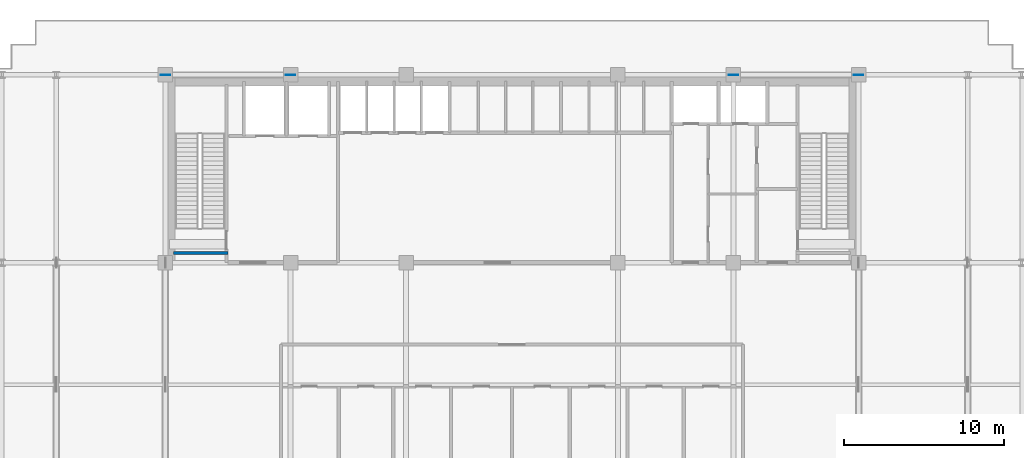
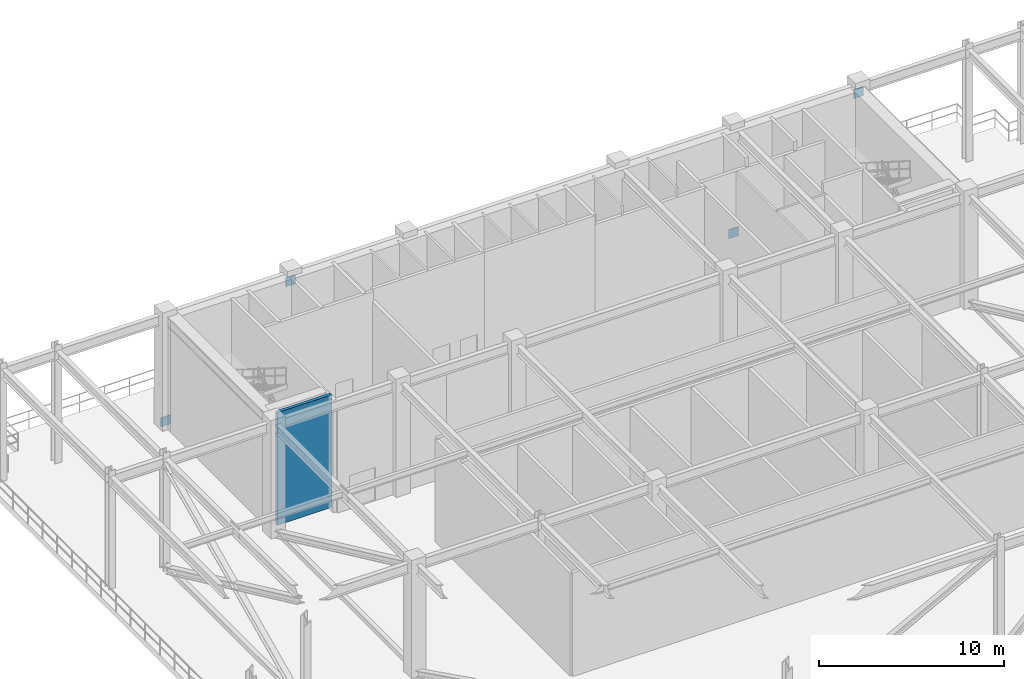
# One storey, part 10 of 16: 4 plates, 1 wall.
"""IFC4 building model written with IfcOpenShell, lengths in metres."""

from ifc_helpers import new_model, si_unit, direction, frame, frame_2d, origin, origin_2d, place, context, subcontext, project, spatial, rectangle, extrude, source, transform, mapped, material, layer, layer_set, type_object, element, save


model = new_model("IFC4")

# Units and contexts
model_context = context("Model", 3, precision=1e-05, world=origin(), true_north=direction((0.0, 1.0)))
body_context = subcontext(model_context, "Body", "Model", "MODEL_VIEW")
ifc_project = project(units=[si_unit("LENGTHUNIT", "METRE"), si_unit("AREAUNIT", "SQUARE_METRE"), si_unit("VOLUMEUNIT", "CUBIC_METRE"), si_unit("PLANEANGLEUNIT", "RADIAN"), si_unit("MASSUNIT", "GRAM", prefix="KILO")], contexts=[model_context])

# Site, building, storey
site_placement = place(None, origin())
site = spatial("IfcSite", under=ifc_project, at=site_placement, CompositionType="ELEMENT")
building_placement = place(site_placement, origin())
building = spatial("IfcBuilding", under=site, at=building_placement, Name="Trelvane Seafront Commons", CompositionType="ELEMENT")
storey_placement = place(building_placement, frame((0.0, 0.0, 73.89990234375)))
storey = spatial("IfcBuildingStorey", under=building, at=storey_placement, Name="L19", CompositionType="ELEMENT", Elevation=73.89990234375)

# Plates
ifc_material_1 = material(Name="Steel SM355 (S355)", Category="steel")
ifc_layer_1 = layer(ifc_material_1, 0.031982421875, Name="STR-PLT-GUS2")
ifc_layer_set_1 = layer_set([ifc_layer_1], Name="Steel SM355 (S355)")
plate_type = type_object("IfcPlateType", Name="STR-PLT-GUS2", PredefinedType="SHEET", material=ifc_layer_set_1)
shared_shape = source(origin(), body_context, "Body", "SweptSolid", [
    extrude(rectangle(XDim=0.60009765625, YDim=0.031982421875, at=origin_2d()), origin(), (0.0, 0.0, 1.0), 0.60009765625),
])
for number, where, z_axis, x_axis, name in (
    (1, (15.60009765625, 45.10009765625, -0.02001953125), (0.0, 0.0, 1.0), (1.0, 0.0, 0.0), "L19 Brace Connection Gusset Plate GP-018"),
    (2, (23.39990234375, 45.10009765625, 6.489990234375), (0.0, 0.0, 1.0), (1.0, 0.0, 0.0), "L19 Brace Connection Gusset Plate GP-019"),
    (3, (51.0, 45.10009765625, -0.02001953125), (0.0, 0.0, 1.0), (1.0, 0.0, 0.0), "L19 Brace Connection Gusset Plate GP-022"),
    (4, (58.800048828125, 45.10009765625, 6.489990234375), (0.0, 0.0, 1.0), (1.0, 0.0, 0.0), "L19 Brace Connection Gusset Plate GP-023"),
):
    element("IfcPlate", number, at=place(storey_placement, frame(where, z_axis=z_axis, x_axis=x_axis)), inside=storey, type_object=plate_type, Name=name, PredefinedType="SHEET", context=body_context, shape_type="MappedRepresentation", body=[
        mapped(shared_shape, transform((0.0, 0.0, 0.0), x_axis=(1.0, 0.0, 0.0), y_axis=(0.0, 1.0, 0.0), z_axis=(0.0, 0.0, 1.0), scale=1.0)),
    ])

# Wall
ifc_material_2 = material(Name="Concrete C50/60", Category="concrete")
ifc_layer_2 = layer(ifc_material_2, 0.199951171875, Name="STR-WALL-STAIR200")
ifc_layer_set_2 = layer_set([ifc_layer_2], Name="Concrete C50/60")
wall_type = type_object("IfcWallType", Name="STR-WALL-STAIR200", PredefinedType="SHEAR", material=ifc_layer_set_2)
wall_placement = place(storey_placement, frame((16.10009765625, 34.0, 0.0), z_axis=(0.0, 0.0, 1.0), x_axis=(1.0, 0.0, 0.0)))
element("IfcWall", 5, at=wall_placement, inside=storey, type_object=wall_type, Name="W-L19-ST1-S-004", PredefinedType="SHEAR", context=body_context, shape_type="SweptSolid", body=[
    extrude(rectangle(XDim=3.39990234375, YDim=0.199951171875, at=frame_2d((1.699951171875, 0.0))), origin(), (0.0, 0.0, 1.0), 7.420166015625),
])

save(model, "model.ifc")
